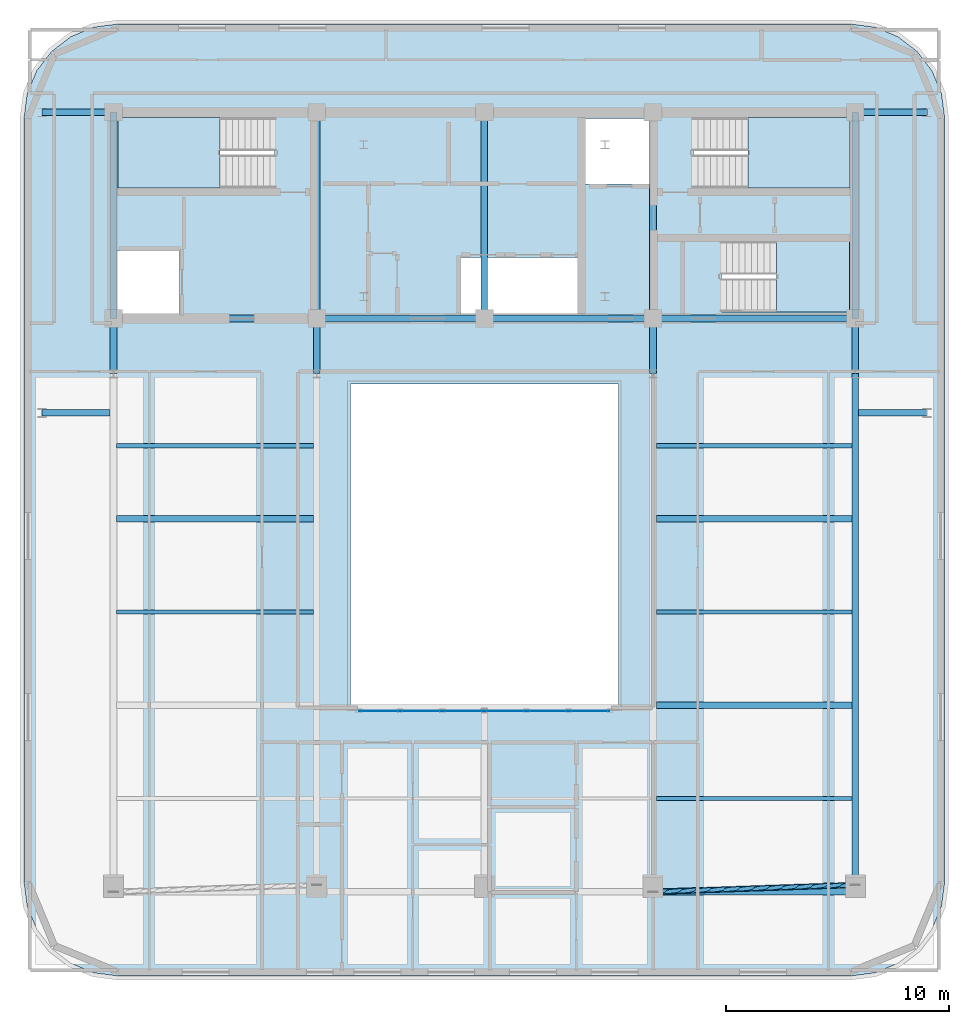
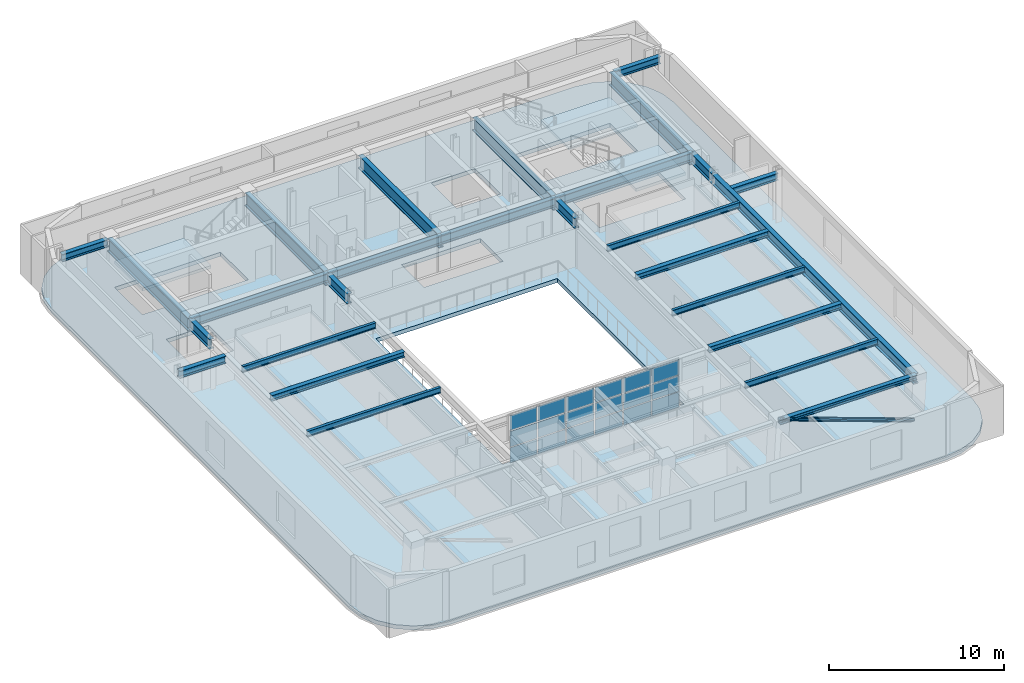
# One storey, part 3 of 11: 27 beams, 18 plates, 4 slabs, 1 member, 4 elements without a shape of their own.
"""IFC4 building model written with IfcOpenShell, lengths in metres."""

from ifc_helpers import new_model, si_unit, direction, frame, origin, origin_2d, place, context, subcontext, project, spatial, polyline, rectangle, hollow_circle, i_section, outline, extrude, material, layer, layer_set, material_profile, profile_set, type_object, element, aggregate, save


model = new_model("IFC4")

# Units and contexts
model_context = context("Model", 3, precision=1e-05, world=origin(), true_north=direction((0.0, 1.0)))
body_context = subcontext(model_context, "Body", "Model", "MODEL_VIEW")
ifc_project = project(units=[si_unit("LENGTHUNIT", "METRE"), si_unit("AREAUNIT", "SQUARE_METRE"), si_unit("VOLUMEUNIT", "CUBIC_METRE"), si_unit("PLANEANGLEUNIT", "RADIAN"), si_unit("MASSUNIT", "GRAM", prefix="KILO")], contexts=[model_context])

# Site, building, storey
site_placement = place(None, origin())
site = spatial("IfcSite", under=ifc_project, at=site_placement, CompositionType="ELEMENT")
building_placement = place(site_placement, origin())
building = spatial("IfcBuilding", under=site, at=building_placement, Name="Zarnavel Station Tower", CompositionType="ELEMENT")
storey_placement = place(building_placement, frame((0.0, 0.0, 262.10009765625)))
storey = spatial("IfcBuildingStorey", under=building, at=storey_placement, Name="L71", CompositionType="ELEMENT", Elevation=262.10009765625)

# Member
ifc_material_1 = material(Name="Steel S355J2", Category="steel")
ifc_material_profile_1 = material_profile(ifc_material_1, hollow_circle(Radius=0.122314453125, WallThickness=0.010009765625, at=origin_2d()), Name="CHS244.5x10")
ifc_profile_set_1 = profile_set([ifc_material_profile_1], Name="Steel S355J2")
member_type = type_object("IfcMemberType", Name="DB_EXT_CHS245", PredefinedType="BRACE", material=ifc_profile_set_1)
member_placement = place(storey_placement, frame((45.39990234375, 2.4765625, 0.0), z_axis=(-0.934954219705, -0.032032800772, 0.35331927025), x_axis=(0.034241266505, -0.999413595899, 0.0)))
element("IfcMember", 1, at=member_placement, inside=storey, type_object=member_type, Name="L71 Persian Exterior Diagonal Frame Brace 2", PredefinedType="BRACE", context=body_context, shape_type="SweptSolid", body=[
    extrude(hollow_circle(Radius=0.122314453125, WallThickness=0.010009765625, at=origin_2d()), origin(), (0.0, 0.0, 1.0), 9.679443359375),
])

# Beams
ifc_material_2 = material(Name="Steel S355J2", Category="steel")
ifc_material_profile_2 = material_profile(ifc_material_2, i_section(OverallWidth=0.300048828125, OverallDepth=0.320068359375, WebThickness=0.011474609375, FlangeThickness=0.0205078125, FilletRadius=0.027099609375, at=origin_2d()), Name="HEB320")
ifc_profile_set_2 = profile_set([ifc_material_profile_2], Name="Steel S355J2")
beam_type_1 = type_object("IfcBeamType", Name="EB_HEB320", PredefinedType="SPANDREL", material=ifc_profile_set_2)
beam_1_placement = place(storey_placement, frame((36.35009765625, 2.16650390625, 3.260009765625), z_axis=(1.0, 0.0, 0.0), x_axis=(0.0, 1.0, 0.0)))
element("IfcBeam", 2, at=beam_1_placement, inside=storey, type_object=beam_type_1, Name="L71 South Raked Spandrel 4", PredefinedType="SPANDREL", context=body_context, shape_type="SweptSolid", body=[
    extrude(i_section(OverallWidth=0.300048828125, OverallDepth=0.320068359375, WebThickness=0.011474609375, FlangeThickness=0.0205078125, FilletRadius=0.027099609375, at=origin_2d()), origin(), (0.0, 0.0, 1.0), 9.0498046875),
])
ifc_material_3 = material(Name="Steel S355J2", Category="steel")
ifc_material_profile_3 = material_profile(ifc_material_3, i_section(OverallWidth=0.300048828125, OverallDepth=0.389892578125, WebThickness=0.010986328125, FlangeThickness=0.01904296875, FilletRadius=0.027099609375, at=origin_2d()), Name="HEA400")
ifc_profile_set_3 = profile_set([ifc_material_profile_3], Name="Steel S355J2")
beam_type_2 = type_object("IfcBeamType", Name="FB_HEA400", PredefinedType="BEAM", material=ifc_profile_set_3)
beam_2_placement = place(storey_placement, frame((36.4951171875, 10.510986328125, 3.224853515625), z_axis=(1.0, 0.0, 0.0), x_axis=(0.0, 1.0, 0.0)))
element("IfcBeam", 3, at=beam_2_placement, inside=storey, type_object=beam_type_2, Name="L71 East Bay Beam 2", PredefinedType="BEAM", context=body_context, shape_type="SweptSolid", body=[
    extrude(i_section(OverallWidth=0.300048828125, OverallDepth=0.389892578125, WebThickness=0.010986328125, FlangeThickness=0.01904296875, FilletRadius=0.027099609375, at=origin_2d()), origin(), (0.0, 0.0, 1.0), 8.759765625),
])
beam_3_placement = place(storey_placement, frame((12.344970703125, 18.85546875, 3.224853515625), z_axis=(1.0, 0.0, 0.0), x_axis=(0.0, 1.0, 0.0)))
element("IfcBeam", 4, at=beam_3_placement, inside=storey, type_object=beam_type_2, Name="L71 West Bay Beam 4", PredefinedType="BEAM", context=body_context, shape_type="SweptSolid", body=[
    extrude(i_section(OverallWidth=0.300048828125, OverallDepth=0.389892578125, WebThickness=0.010986328125, FlangeThickness=0.01904296875, FilletRadius=0.027099609375, at=origin_2d()), origin(), (0.0, 0.0, 1.0), 8.81005859375),
])
beam_4_placement = place(storey_placement, frame((36.4951171875, 18.85546875, 3.224853515625), z_axis=(1.0, 0.0, 0.0), x_axis=(0.0, 1.0, 0.0)))
element("IfcBeam", 5, at=beam_4_placement, inside=storey, type_object=beam_type_2, Name="L71 East Bay Beam 4", PredefinedType="BEAM", context=body_context, shape_type="SweptSolid", body=[
    extrude(i_section(OverallWidth=0.300048828125, OverallDepth=0.389892578125, WebThickness=0.010986328125, FlangeThickness=0.01904296875, FilletRadius=0.027099609375, at=origin_2d()), origin(), (0.0, 0.0, 1.0), 8.759765625),
])
ifc_material_4 = material(Name="Steel S355J2", Category="steel")
ifc_material_profile_4 = material_profile(ifc_material_4, i_section(OverallWidth=0.179931640625, OverallDepth=0.39990234375, WebThickness=0.008544921875, FlangeThickness=0.013427734375, FilletRadius=0.02099609375, at=origin_2d()), Name="IPE400")
ifc_profile_set_4 = profile_set([ifc_material_profile_4], Name="Steel S355J2")
beam_type_3 = type_object("IfcBeamType", Name="FB_IPE400", PredefinedType="BEAM", material=ifc_profile_set_4)
beam_5_placement = place(storey_placement, frame((36.4951171875, 6.3388671875, 3.219970703125), z_axis=(1.0, 0.0, 0.0), x_axis=(0.0, 1.0, 0.0)))
element("IfcBeam", 6, at=beam_5_placement, inside=storey, type_object=beam_type_3, Name="L71 East Bay Beam 1", PredefinedType="BEAM", context=body_context, shape_type="SweptSolid", body=[
    extrude(i_section(OverallWidth=0.179931640625, OverallDepth=0.39990234375, WebThickness=0.008544921875, FlangeThickness=0.013427734375, FilletRadius=0.02099609375, at=origin_2d()), origin(), (0.0, 0.0, 1.0), 8.759765625),
])
beam_6_placement = place(storey_placement, frame((12.344970703125, 14.683349609375, 3.219970703125), z_axis=(1.0, 0.0, 0.0), x_axis=(0.0, 1.0, 0.0)))
element("IfcBeam", 7, at=beam_6_placement, inside=storey, type_object=beam_type_3, Name="L71 West Bay Beam 3", PredefinedType="BEAM", context=body_context, shape_type="SweptSolid", body=[
    extrude(i_section(OverallWidth=0.179931640625, OverallDepth=0.39990234375, WebThickness=0.008544921875, FlangeThickness=0.013427734375, FilletRadius=0.02099609375, at=origin_2d()), origin(), (0.0, 0.0, 1.0), 8.81005859375),
])
beam_7_placement = place(storey_placement, frame((36.4951171875, 14.683349609375, 3.219970703125), z_axis=(1.0, 0.0, 0.0), x_axis=(0.0, 1.0, 0.0)))
element("IfcBeam", 8, at=beam_7_placement, inside=storey, type_object=beam_type_3, Name="L71 East Bay Beam 3", PredefinedType="BEAM", context=body_context, shape_type="SweptSolid", body=[
    extrude(i_section(OverallWidth=0.179931640625, OverallDepth=0.39990234375, WebThickness=0.008544921875, FlangeThickness=0.013427734375, FilletRadius=0.02099609375, at=origin_2d()), origin(), (0.0, 0.0, 1.0), 8.759765625),
])
beam_8_placement = place(storey_placement, frame((12.344970703125, 22.127685546875, 3.219970703125), z_axis=(1.0, 0.0, 0.0), x_axis=(0.0, 1.0, 0.0)))
element("IfcBeam", 9, at=beam_8_placement, inside=storey, type_object=beam_type_3, Name="L71 West Bay Beam 5", PredefinedType="BEAM", context=body_context, shape_type="SweptSolid", body=[
    extrude(i_section(OverallWidth=0.179931640625, OverallDepth=0.39990234375, WebThickness=0.008544921875, FlangeThickness=0.013427734375, FilletRadius=0.02099609375, at=origin_2d()), origin(), (0.0, 0.0, 1.0), 8.81005859375),
])
beam_9_placement = place(storey_placement, frame((36.4951171875, 22.127685546875, 3.219970703125), z_axis=(1.0, 0.0, 0.0), x_axis=(0.0, 1.0, 0.0)))
element("IfcBeam", 10, at=beam_9_placement, inside=storey, type_object=beam_type_3, Name="L71 East Bay Beam 5", PredefinedType="BEAM", context=body_context, shape_type="SweptSolid", body=[
    extrude(i_section(OverallWidth=0.179931640625, OverallDepth=0.39990234375, WebThickness=0.008544921875, FlangeThickness=0.013427734375, FilletRadius=0.02099609375, at=origin_2d()), origin(), (0.0, 0.0, 1.0), 8.759765625),
])
ifc_material_5 = material(Name="Steel S355J2", Category="steel")
ifc_material_profile_5 = material_profile(ifc_material_5, i_section(OverallWidth=0.300048828125, OverallDepth=0.5, WebThickness=0.014404296875, FlangeThickness=0.028076171875, FilletRadius=0.027099609375, at=origin_2d()), Name="HEB500")
ifc_profile_set_5 = profile_set([ifc_material_profile_5], Name="Steel S355J2")
beam_type_4 = type_object("IfcBeamType", Name="FG_HEB500", PredefinedType="USERDEFINED", material=ifc_profile_set_5)
for number, where, z_axis, x_axis, name in (
    (11, (9.0, 23.60009765625, 3.169921875), (1.0, 0.0, 0.0), (0.0, 1.0, 0.0), "L71 West Wing South Tie 1"),
    (12, (9.0, 37.050048828125, 3.169921875), (1.0, 0.0, 0.0), (0.0, 1.0, 0.0), "L71 West Wing North Tie 1"),
):
    element("IfcBeam", number, at=place(storey_placement, frame(where, z_axis=z_axis, x_axis=x_axis)), inside=storey, type_object=beam_type_4, Name=name, ObjectType="GIRDER", PredefinedType="USERDEFINED", context=body_context, shape_type="SweptSolid", body=[
        extrude(i_section(OverallWidth=0.300048828125, OverallDepth=0.5, WebThickness=0.014404296875, FlangeThickness=0.028076171875, FilletRadius=0.027099609375, at=origin_2d()), origin(), (0.0, 0.0, 1.0), 3.054931640625),
    ])
for number, where, z_axis, x_axis, name in (
    (13, (45.544921875, 23.60009765625, 3.169921875), (1.0, 0.0, 0.0), (0.0, 1.0, 0.0), "L71 East Wing South Tie 1"),
    (14, (45.544921875, 37.050048828125, 3.169921875), (1.0, 0.0, 0.0), (0.0, 1.0, 0.0), "L71 East Wing North Tie 1"),
):
    element("IfcBeam", number, at=place(storey_placement, frame(where, z_axis=z_axis, x_axis=x_axis)), inside=storey, type_object=beam_type_4, Name=name, ObjectType="GIRDER", PredefinedType="USERDEFINED", context=body_context, shape_type="SweptSolid", body=[
        extrude(i_section(OverallWidth=0.300048828125, OverallDepth=0.5, WebThickness=0.014404296875, FlangeThickness=0.028076171875, FilletRadius=0.027099609375, at=origin_2d()), origin(), (0.0, 0.0, 1.0), 3.05517578125),
    ])
ifc_material_6 = material(Name="Steel S355J2", Category="steel")
ifc_material_profile_6 = material_profile(ifc_material_6, i_section(OverallWidth=0.300048828125, OverallDepth=0.60009765625, WebThickness=0.015380859375, FlangeThickness=0.030029296875, FilletRadius=0.027099609375, at=origin_2d()), Name="HEB600")
ifc_profile_set_6 = profile_set([ifc_material_profile_6], Name="Steel S355J2")
beam_type_5 = type_object("IfcBeamType", Name="FG_HEB600", PredefinedType="USERDEFINED", material=ifc_profile_set_6)
beam_10_placement = place(storey_placement, frame((12.199951171875, 27.820068359375, 3.119873046875), z_axis=(1.0, 0.0, 0.0), x_axis=(0.0, 1.0, 0.0)))
element("IfcBeam", 15, at=beam_10_placement, inside=storey, type_object=beam_type_5, Name="L71 Core Front Coupling Beam 1", ObjectType="GIRDER", PredefinedType="USERDEFINED", context=body_context, shape_type="SweptSolid", body=[
    extrude(i_section(OverallWidth=0.300048828125, OverallDepth=0.60009765625, WebThickness=0.015380859375, FlangeThickness=0.030029296875, FilletRadius=0.027099609375, at=origin_2d()), origin(), (0.0, 0.0, 1.0), 9.10009765625),
])
beam_11_placement = place(storey_placement, frame((21.300048828125, 27.820068359375, 3.119873046875), z_axis=(1.0, 0.0, 0.0), x_axis=(0.0, 1.0, 0.0)))
element("IfcBeam", 16, at=beam_11_placement, inside=storey, type_object=beam_type_5, Name="L71 Core Front Coupling Beam 2", ObjectType="GIRDER", PredefinedType="USERDEFINED", context=body_context, shape_type="SweptSolid", body=[
    extrude(i_section(OverallWidth=0.300048828125, OverallDepth=0.60009765625, WebThickness=0.015380859375, FlangeThickness=0.030029296875, FilletRadius=0.027099609375, at=origin_2d()), origin(), (0.0, 0.0, 1.0), 7.5),
])
beam_12_placement = place(storey_placement, frame((28.800048828125, 27.820068359375, 3.119873046875), z_axis=(1.0, 0.0, 0.0), x_axis=(0.0, 1.0, 0.0)))
element("IfcBeam", 17, at=beam_12_placement, inside=storey, type_object=beam_type_5, Name="L71 Core Front Coupling Beam 3", ObjectType="GIRDER", PredefinedType="USERDEFINED", context=body_context, shape_type="SweptSolid", body=[
    extrude(i_section(OverallWidth=0.300048828125, OverallDepth=0.60009765625, WebThickness=0.015380859375, FlangeThickness=0.030029296875, FilletRadius=0.027099609375, at=origin_2d()), origin(), (0.0, 0.0, 1.0), 7.550048828125),
])
beam_13_placement = place(storey_placement, frame((36.35009765625, 27.820068359375, 3.119873046875), z_axis=(1.0, 0.0, 0.0), x_axis=(0.0, 1.0, 0.0)))
element("IfcBeam", 18, at=beam_13_placement, inside=storey, type_object=beam_type_5, Name="L71 Core Front Coupling Beam 4", ObjectType="GIRDER", PredefinedType="USERDEFINED", context=body_context, shape_type="SweptSolid", body=[
    extrude(i_section(OverallWidth=0.300048828125, OverallDepth=0.60009765625, WebThickness=0.015380859375, FlangeThickness=0.030029296875, FilletRadius=0.027099609375, at=origin_2d()), origin(), (0.0, 0.0, 1.0), 9.0498046875),
])
ifc_material_7 = material(Name="Steel S355J2", Category="steel")
ifc_material_profile_7 = material_profile(ifc_material_7, i_section(OverallWidth=0.300048828125, OverallDepth=0.699951171875, WebThickness=0.01708984375, FlangeThickness=0.031982421875, FilletRadius=0.027099609375, at=origin_2d()), Name="HEB700")
ifc_profile_set_7 = profile_set([ifc_material_profile_7], Name="Steel S355J2")
beam_type_6 = type_object("IfcBeamType", Name="FG_HEB700", PredefinedType="USERDEFINED", material=ifc_profile_set_7)
for number, where, z_axis, x_axis, name in (
    (19, (12.199951171875, 25.35009765625, 3.06982421875), (0.0, 1.0, 0.0), (-1.0, 0.0, 0.0), "L71 Inner-Zone NS Girder 1"),
    (20, (21.300048828125, 25.35009765625, 3.06982421875), (0.0, 1.0, 0.0), (-1.0, 0.0, 0.0), "L71 Inner-Zone NS Girder 2"),
    (21, (36.35009765625, 25.35009765625, 3.06982421875), (0.0, 1.0, 0.0), (-1.0, 0.0, 0.0), "L71 Inner-Zone NS Girder 4"),
):
    element("IfcBeam", number, at=place(storey_placement, frame(where, z_axis=z_axis, x_axis=x_axis)), inside=storey, type_object=beam_type_6, Name=name, ObjectType="GIRDER", PredefinedType="USERDEFINED", context=body_context, shape_type="SweptSolid", body=[
        extrude(i_section(OverallWidth=0.300048828125, OverallDepth=0.699951171875, WebThickness=0.01708984375, FlangeThickness=0.031982421875, FilletRadius=0.027099609375, at=origin_2d()), origin(), (0.0, 0.0, 1.0), 2.469970703125),
    ])
beam_14_placement = place(storey_placement, frame((45.39990234375, 2.16650390625, 3.06982421875), z_axis=(0.0, 1.0, 0.0), x_axis=(-1.0, 0.0, 0.0)))
element("IfcBeam", 22, at=beam_14_placement, inside=storey, type_object=beam_type_6, Name="L71 South-Zone NS Girder 5", ObjectType="GIRDER", PredefinedType="USERDEFINED", context=body_context, shape_type="SweptSolid", body=[
    extrude(i_section(OverallWidth=0.300048828125, OverallDepth=0.699951171875, WebThickness=0.01708984375, FlangeThickness=0.031982421875, FilletRadius=0.027099609375, at=origin_2d()), origin(), (0.0, 0.0, 1.0), 23.18359375),
])
beam_15_placement = place(storey_placement, frame((45.39990234375, 25.35009765625, 3.06982421875), z_axis=(0.0, 1.0, 0.0), x_axis=(-1.0, 0.0, 0.0)))
element("IfcBeam", 23, at=beam_15_placement, inside=storey, type_object=beam_type_6, Name="L71 Inner-Zone NS Girder 5", ObjectType="GIRDER", PredefinedType="USERDEFINED", context=body_context, shape_type="SweptSolid", body=[
    extrude(i_section(OverallWidth=0.300048828125, OverallDepth=0.699951171875, WebThickness=0.01708984375, FlangeThickness=0.031982421875, FilletRadius=0.027099609375, at=origin_2d()), origin(), (0.0, 0.0, 1.0), 2.469970703125),
])
ifc_material_8 = material(Name="Steel S460M", Category="steel")
ifc_material_profile_8 = material_profile(ifc_material_8, i_section(OverallWidth=0.302001953125, OverallDepth=0.909912109375, WebThickness=0.02099609375, FlangeThickness=0.0400390625, FilletRadius=0.030029296875, at=origin_2d()), Name="HEM900")
ifc_profile_set_8 = profile_set([ifc_material_profile_8], Name="Steel S460M")
beam_type_7 = type_object("IfcBeamType", Name="TG_HEM900", PredefinedType="USERDEFINED", material=ifc_profile_set_8)
for number, where, z_axis, x_axis, name in (
    (24, (12.199951171875, 27.820068359375, 2.96484375), (0.0, 1.0, 0.0), (-1.0, 0.0, 0.0), "L71 Core Spine Coupling Girder 1"),
    (25, (21.300048828125, 27.820068359375, 2.96484375), (0.0, 1.0, 0.0), (-1.0, 0.0, 0.0), "L71 Core Spine Coupling Girder 2"),
    (26, (28.800048828125, 27.820068359375, 2.96484375), (0.0, 1.0, 0.0), (-1.0, 0.0, 0.0), "L71 Core Spine Coupling Girder 3"),
    (27, (36.35009765625, 27.820068359375, 2.96484375), (0.0, 1.0, 0.0), (-1.0, 0.0, 0.0), "L71 Core Spine Coupling Girder 4"),
    (28, (45.39990234375, 27.820068359375, 2.96484375), (0.0, 1.0, 0.0), (-1.0, 0.0, 0.0), "L71 Core Spine Coupling Girder 5"),
):
    element("IfcBeam", number, at=place(storey_placement, frame(where, z_axis=z_axis, x_axis=x_axis)), inside=storey, type_object=beam_type_7, Name=name, ObjectType="GIRDER", PredefinedType="USERDEFINED", context=body_context, shape_type="SweptSolid", body=[
        extrude(i_section(OverallWidth=0.302001953125, OverallDepth=0.909912109375, WebThickness=0.02099609375, FlangeThickness=0.0400390625, FilletRadius=0.030029296875, at=origin_2d()), origin(), (0.0, 0.0, 1.0), 9.22998046875),
    ])

# Curtain wall, plates
ifc_material_9 = material(Name="Aluminium Dark Anodised and Solar-Control Glass", Category="aluminium")
ifc_layer_1 = layer(ifc_material_9, 0.179931640625)
ifc_layer_set_1 = layer_set([ifc_layer_1], Name="CWS6")
curtain_wall_type = type_object("IfcCurtainWallType", Name="CWS6", PredefinedType="NOTDEFINED", material=ifc_layer_set_1)
curtain_wall_placement = place(storey_placement, origin())
curtain_wall = element("IfcCurtainWall", 29, at=curtain_wall_placement, inside=storey, type_object=curtain_wall_type, Name="L71 Curtain Wall CWS6-L71-AS", PredefinedType="NOTDEFINED")
ifc_material_10 = material(Name="Double Low-E Dark Solar-Control Glass", Category="glass")
ifc_layer_2 = layer(ifc_material_10, 0.0380859375)
ifc_layer_set_2 = layer_set([ifc_layer_2], Name="CWS6_PNL")
plate_type = type_object("IfcPlateType", Name="CWS6_PNL", PredefinedType="CURTAIN_PANEL", material=ifc_layer_set_2)
plate_1_placement = place(storey_placement, frame((24.106689453125, 10.25, 0.06005859375), z_axis=(0.0, 0.0, 1.0), x_axis=(1.0, 0.0, 0.0)))
plate_1 = element("IfcPlate", 30, at=plate_1_placement, type_object=plate_type, Name="CW6 panel 1.1", PredefinedType="CURTAIN_PANEL", context=body_context, shape_type="SweptSolid", body=[
    extrude(rectangle(XDim=1.793212890625, YDim=0.028076171875, at=origin_2d()), origin(), (0.0, 0.0, 1.0), 1.050048828125),
])
plate_2_placement = place(storey_placement, frame((24.106689453125, 10.25, 1.169921875), z_axis=(0.0, 0.0, 1.0), x_axis=(1.0, 0.0, 0.0)))
plate_2 = element("IfcPlate", 31, at=plate_2_placement, type_object=plate_type, Name="CW6 panel 1.2", PredefinedType="CURTAIN_PANEL", context=body_context, shape_type="SweptSolid", body=[
    extrude(rectangle(XDim=1.793212890625, YDim=0.028076171875, at=origin_2d()), origin(), (0.0, 0.0, 1.0), 1.080078125),
])
plate_3_placement = place(storey_placement, frame((24.106689453125, 10.25, 2.31005859375), z_axis=(0.0, 0.0, 1.0), x_axis=(1.0, 0.0, 0.0)))
plate_3 = element("IfcPlate", 32, at=plate_3_placement, type_object=plate_type, Name="CW6 panel 1.3", PredefinedType="CURTAIN_PANEL", context=body_context, shape_type="SweptSolid", body=[
    extrude(rectangle(XDim=1.793212890625, YDim=0.028076171875, at=origin_2d()), origin(), (0.0, 0.0, 1.0), 1.050048828125),
])
plate_4_placement = place(storey_placement, frame((25.97509765625, 10.25, 0.06005859375), z_axis=(0.0, 0.0, 1.0), x_axis=(1.0, 0.0, 0.0)))
plate_4 = element("IfcPlate", 33, at=plate_4_placement, type_object=plate_type, Name="CW6 panel 2.1", PredefinedType="CURTAIN_PANEL", context=body_context, shape_type="SweptSolid", body=[
    extrude(rectangle(XDim=1.8232421875, YDim=0.028076171875, at=origin_2d()), origin(), (0.0, 0.0, 1.0), 1.050048828125),
])
plate_5_placement = place(storey_placement, frame((25.97509765625, 10.25, 1.169921875), z_axis=(0.0, 0.0, 1.0), x_axis=(1.0, 0.0, 0.0)))
plate_5 = element("IfcPlate", 34, at=plate_5_placement, type_object=plate_type, Name="CW6 panel 2.2", PredefinedType="CURTAIN_PANEL", context=body_context, shape_type="SweptSolid", body=[
    extrude(rectangle(XDim=1.8232421875, YDim=0.028076171875, at=origin_2d()), origin(), (0.0, 0.0, 1.0), 1.080078125),
])
plate_6_placement = place(storey_placement, frame((25.97509765625, 10.25, 2.31005859375), z_axis=(0.0, 0.0, 1.0), x_axis=(1.0, 0.0, 0.0)))
plate_6 = element("IfcPlate", 35, at=plate_6_placement, type_object=plate_type, Name="CW6 panel 2.3", PredefinedType="CURTAIN_PANEL", context=body_context, shape_type="SweptSolid", body=[
    extrude(rectangle(XDim=1.8232421875, YDim=0.028076171875, at=origin_2d()), origin(), (0.0, 0.0, 1.0), 1.050048828125),
])
plate_7_placement = place(storey_placement, frame((27.8583984375, 10.25, 0.06005859375), z_axis=(0.0, 0.0, 1.0), x_axis=(1.0, 0.0, 0.0)))
plate_7 = element("IfcPlate", 36, at=plate_7_placement, type_object=plate_type, Name="CW6 panel 3.1", PredefinedType="CURTAIN_PANEL", context=body_context, shape_type="SweptSolid", body=[
    extrude(rectangle(XDim=1.8232421875, YDim=0.028076171875, at=origin_2d()), origin(), (0.0, 0.0, 1.0), 1.050048828125),
])
plate_8_placement = place(storey_placement, frame((27.8583984375, 10.25, 1.169921875), z_axis=(0.0, 0.0, 1.0), x_axis=(1.0, 0.0, 0.0)))
plate_8 = element("IfcPlate", 37, at=plate_8_placement, type_object=plate_type, Name="CW6 panel 3.2", PredefinedType="CURTAIN_PANEL", context=body_context, shape_type="SweptSolid", body=[
    extrude(rectangle(XDim=1.8232421875, YDim=0.028076171875, at=origin_2d()), origin(), (0.0, 0.0, 1.0), 1.080078125),
])
plate_9_placement = place(storey_placement, frame((27.8583984375, 10.25, 2.31005859375), z_axis=(0.0, 0.0, 1.0), x_axis=(1.0, 0.0, 0.0)))
plate_9 = element("IfcPlate", 38, at=plate_9_placement, type_object=plate_type, Name="CW6 panel 3.3", PredefinedType="CURTAIN_PANEL", context=body_context, shape_type="SweptSolid", body=[
    extrude(rectangle(XDim=1.8232421875, YDim=0.028076171875, at=origin_2d()), origin(), (0.0, 0.0, 1.0), 1.050048828125),
])
plate_10_placement = place(storey_placement, frame((29.74169921875, 10.25, 0.06005859375), z_axis=(0.0, 0.0, 1.0), x_axis=(1.0, 0.0, 0.0)))
plate_10 = element("IfcPlate", 39, at=plate_10_placement, type_object=plate_type, Name="CW6 panel 4.1", PredefinedType="CURTAIN_PANEL", context=body_context, shape_type="SweptSolid", body=[
    extrude(rectangle(XDim=1.8232421875, YDim=0.028076171875, at=origin_2d()), origin(), (0.0, 0.0, 1.0), 1.050048828125),
])
plate_11_placement = place(storey_placement, frame((29.74169921875, 10.25, 1.169921875), z_axis=(0.0, 0.0, 1.0), x_axis=(1.0, 0.0, 0.0)))
plate_11 = element("IfcPlate", 40, at=plate_11_placement, type_object=plate_type, Name="CW6 panel 4.2", PredefinedType="CURTAIN_PANEL", context=body_context, shape_type="SweptSolid", body=[
    extrude(rectangle(XDim=1.8232421875, YDim=0.028076171875, at=origin_2d()), origin(), (0.0, 0.0, 1.0), 1.080078125),
])
plate_12_placement = place(storey_placement, frame((29.74169921875, 10.25, 2.31005859375), z_axis=(0.0, 0.0, 1.0), x_axis=(1.0, 0.0, 0.0)))
plate_12 = element("IfcPlate", 41, at=plate_12_placement, type_object=plate_type, Name="CW6 panel 4.3", PredefinedType="CURTAIN_PANEL", context=body_context, shape_type="SweptSolid", body=[
    extrude(rectangle(XDim=1.8232421875, YDim=0.028076171875, at=origin_2d()), origin(), (0.0, 0.0, 1.0), 1.050048828125),
])
plate_13_placement = place(storey_placement, frame((31.625, 10.25, 0.06005859375), z_axis=(0.0, 0.0, 1.0), x_axis=(1.0, 0.0, 0.0)))
plate_13 = element("IfcPlate", 42, at=plate_13_placement, type_object=plate_type, Name="CW6 panel 5.1", PredefinedType="CURTAIN_PANEL", context=body_context, shape_type="SweptSolid", body=[
    extrude(rectangle(XDim=1.8232421875, YDim=0.028076171875, at=origin_2d()), origin(), (0.0, 0.0, 1.0), 1.050048828125),
])
plate_14_placement = place(storey_placement, frame((31.625, 10.25, 1.169921875), z_axis=(0.0, 0.0, 1.0), x_axis=(1.0, 0.0, 0.0)))
plate_14 = element("IfcPlate", 43, at=plate_14_placement, type_object=plate_type, Name="CW6 panel 5.2", PredefinedType="CURTAIN_PANEL", context=body_context, shape_type="SweptSolid", body=[
    extrude(rectangle(XDim=1.8232421875, YDim=0.028076171875, at=origin_2d()), origin(), (0.0, 0.0, 1.0), 1.080078125),
])
plate_15_placement = place(storey_placement, frame((31.625, 10.25, 2.31005859375), z_axis=(0.0, 0.0, 1.0), x_axis=(1.0, 0.0, 0.0)))
plate_15 = element("IfcPlate", 44, at=plate_15_placement, type_object=plate_type, Name="CW6 panel 5.3", PredefinedType="CURTAIN_PANEL", context=body_context, shape_type="SweptSolid", body=[
    extrude(rectangle(XDim=1.8232421875, YDim=0.028076171875, at=origin_2d()), origin(), (0.0, 0.0, 1.0), 1.050048828125),
])
plate_16_placement = place(storey_placement, frame((33.493408203125, 10.25, 0.06005859375), z_axis=(0.0, 0.0, 1.0), x_axis=(1.0, 0.0, 0.0)))
plate_16 = element("IfcPlate", 45, at=plate_16_placement, type_object=plate_type, Name="CW6 panel 6.1", PredefinedType="CURTAIN_PANEL", context=body_context, shape_type="SweptSolid", body=[
    extrude(rectangle(XDim=1.793212890625, YDim=0.028076171875, at=origin_2d()), origin(), (0.0, 0.0, 1.0), 1.050048828125),
])
plate_17_placement = place(storey_placement, frame((33.493408203125, 10.25, 1.169921875), z_axis=(0.0, 0.0, 1.0), x_axis=(1.0, 0.0, 0.0)))
plate_17 = element("IfcPlate", 46, at=plate_17_placement, type_object=plate_type, Name="CW6 panel 6.2", PredefinedType="CURTAIN_PANEL", context=body_context, shape_type="SweptSolid", body=[
    extrude(rectangle(XDim=1.793212890625, YDim=0.028076171875, at=origin_2d()), origin(), (0.0, 0.0, 1.0), 1.080078125),
])
plate_18_placement = place(storey_placement, frame((33.493408203125, 10.25, 2.31005859375), z_axis=(0.0, 0.0, 1.0), x_axis=(1.0, 0.0, 0.0)))
plate_18 = element("IfcPlate", 47, at=plate_18_placement, type_object=plate_type, Name="CW6 panel 6.3", PredefinedType="CURTAIN_PANEL", context=body_context, shape_type="SweptSolid", body=[
    extrude(rectangle(XDim=1.793212890625, YDim=0.028076171875, at=origin_2d()), origin(), (0.0, 0.0, 1.0), 1.050048828125),
])
aggregate(curtain_wall, [plate_1, plate_2, plate_3, plate_4, plate_5, plate_6, plate_7, plate_8, plate_9, plate_10, plate_11, plate_12, plate_13, plate_14, plate_15, plate_16, plate_17, plate_18])

# Slab
ifc_material_11 = material(Name="Concrete C45/55", Category="concrete")
ifc_layer_3 = layer(ifc_material_11, 0.280029296875)
ifc_layer_set_3 = layer_set([ifc_layer_3], Name="SL_FLR_280")
slab_type_1 = type_object("IfcSlabType", Name="SL_FLR_280", PredefinedType="FLOOR", material=ifc_layer_set_3)
slab_1_placement = place(storey_placement, frame((0.0, 0.0, -0.280029296875)))
element("IfcSlab", 48, at=slab_1_placement, inside=storey, type_object=slab_type_1, Name="L71 Structural Floor Slab", PredefinedType="FLOOR", context=body_context, shape_type="SweptSolid", body=[
    extrude(outline(polyline([(45.199951171875, -1.60009765625), (46.287109375, -1.456787109375), (47.300048828125, -1.037353515625), (48.169921875, -0.369873046875), (48.83740234375, 0.5), (49.2568359375, 1.512939453125), (49.39990234375, 2.60009765625), (49.39990234375, 36.800048828125), (49.2568359375, 37.886962890625), (48.83740234375, 38.89990234375), (48.169921875, 39.769775390625), (47.300048828125, 40.437255859375), (46.287109375, 40.85693359375), (45.199951171875, 41.0), (12.39990234375, 41.0), (11.31298828125, 40.85693359375), (10.300048828125, 40.437255859375), (9.43017578125, 39.769775390625), (8.7626953125, 38.89990234375), (8.343017578125, 37.886962890625), (8.199951171875, 36.800048828125), (8.199951171875, 2.60009765625), (8.343017578125, 1.512939453125), (8.7626953125, 0.5), (9.43017578125, -0.369873046875), (10.300048828125, -1.037353515625), (11.31298828125, -1.456787109375), (12.39990234375, -1.60009765625), (45.199951171875, -1.60009765625)]), holes=[polyline([(12.39990234375, 33.659912109375), (19.409912109375, 33.659912109375), (19.409912109375, 36.820068359375), (12.39990234375, 36.820068359375), (12.39990234375, 33.659912109375)]), polyline([(38.14990234375, 33.659912109375), (45.159912109375, 33.659912109375), (45.159912109375, 36.820068359375), (38.14990234375, 36.820068359375), (38.14990234375, 33.659912109375)]), polyline([(39.419921875, 28.1201171875), (45.14990234375, 28.1201171875), (45.14990234375, 31.280029296875), (39.419921875, 31.280029296875), (39.419921875, 28.1201171875)]), polyline([(12.35009765625, 27.949951171875), (15.14990234375, 27.949951171875), (15.14990234375, 30.85009765625), (12.35009765625, 30.85009765625), (12.35009765625, 27.949951171875)]), polyline([(33.320068359375, 33.85009765625), (36.2099609375, 33.85009765625), (36.2099609375, 36.780029296875), (33.320068359375, 36.780029296875), (33.320068359375, 33.85009765625)]), polyline([(27.75, 27.949951171875), (32.97998046875, 27.949951171875), (32.97998046875, 30.550048828125), (27.75, 30.550048828125), (27.75, 27.949951171875)]), polyline([(22.800048828125, 10.39990234375), (34.800048828125, 10.39990234375), (34.800048828125, 24.89990234375), (22.800048828125, 24.89990234375), (22.800048828125, 10.39990234375)])]), origin(), (0.0, 0.0, 1.0), 0.280029296875),
])

# Stair, slab
ifc_material_12 = material(Name="Concrete C45/55", Category="concrete")
stair_type = type_object("IfcStairType", Name="ST_CORE_150", PredefinedType="HALF_TURN_STAIR", material=ifc_material_12)
stair_1_placement = place(storey_placement, origin())
stair_1 = element("IfcStair", 49, at=stair_1_placement, inside=storey, type_object=stair_type, Name="L71 Core Exit Stair ST1", PredefinedType="HALF_TURN_STAIR")
ifc_material_13 = material(Name="Concrete C45/55", Category="concrete")
ifc_layer_4 = layer(ifc_material_13, 0.199951171875)
ifc_layer_set_4 = layer_set([ifc_layer_4], Name="SL_STAIR_LAND_200")
slab_type_2 = type_object("IfcSlabType", Name="SL_STAIR_LAND_200", PredefinedType="LANDING", material=ifc_layer_set_4)
slab_2_placement = place(storey_placement, frame((0.0, 0.0, 1.64990234375)))
slab_2 = element("IfcSlab", 50, at=slab_2_placement, type_object=slab_type_2, Name="ST1 landing 1", PredefinedType="LANDING", context=body_context, shape_type="SweptSolid", body=[
    extrude(outline(polyline([(16.9599609375, 36.820068359375), (12.39990234375, 36.820068359375), (12.39990234375, 33.659912109375), (16.9599609375, 33.659912109375), (16.9599609375, 36.820068359375)])), origin(), (0.0, 0.0, 1.0), 0.199951171875),
])
aggregate(stair_1, [slab_2])

stair_2_placement = place(storey_placement, origin())
stair_2 = element("IfcStair", 51, at=stair_2_placement, inside=storey, type_object=stair_type, Name="L71 Core Exit Stair ST2", PredefinedType="HALF_TURN_STAIR")
slab_3_placement = place(storey_placement, frame((0.0, 0.0, 1.64990234375)))
slab_3 = element("IfcSlab", 52, at=slab_3_placement, type_object=slab_type_2, Name="ST2 landing 1", PredefinedType="LANDING", context=body_context, shape_type="SweptSolid", body=[
    extrude(outline(polyline([(40.60009765625, 33.659912109375), (45.159912109375, 33.659912109375), (45.159912109375, 36.820068359375), (40.60009765625, 36.820068359375), (40.60009765625, 33.659912109375)])), origin(), (0.0, 0.0, 1.0), 0.199951171875),
])
aggregate(stair_2, [slab_3])

stair_3_placement = place(storey_placement, origin())
stair_3 = element("IfcStair", 53, at=stair_3_placement, inside=storey, type_object=stair_type, Name="L71 Core Exit Stair ST3", PredefinedType="HALF_TURN_STAIR")
slab_4_placement = place(storey_placement, frame((0.0, 0.0, 1.64990234375)))
slab_4 = element("IfcSlab", 54, at=slab_4_placement, type_object=slab_type_2, Name="ST3 landing 1", PredefinedType="LANDING", context=body_context, shape_type="SweptSolid", body=[
    extrude(outline(polyline([(41.8701171875, 28.1201171875), (45.14990234375, 28.1201171875), (45.14990234375, 31.280029296875), (41.8701171875, 31.280029296875), (41.8701171875, 28.1201171875)])), origin(), (0.0, 0.0, 1.0), 0.199951171875),
])
aggregate(stair_3, [slab_4])

save(model, "model.ifc")
